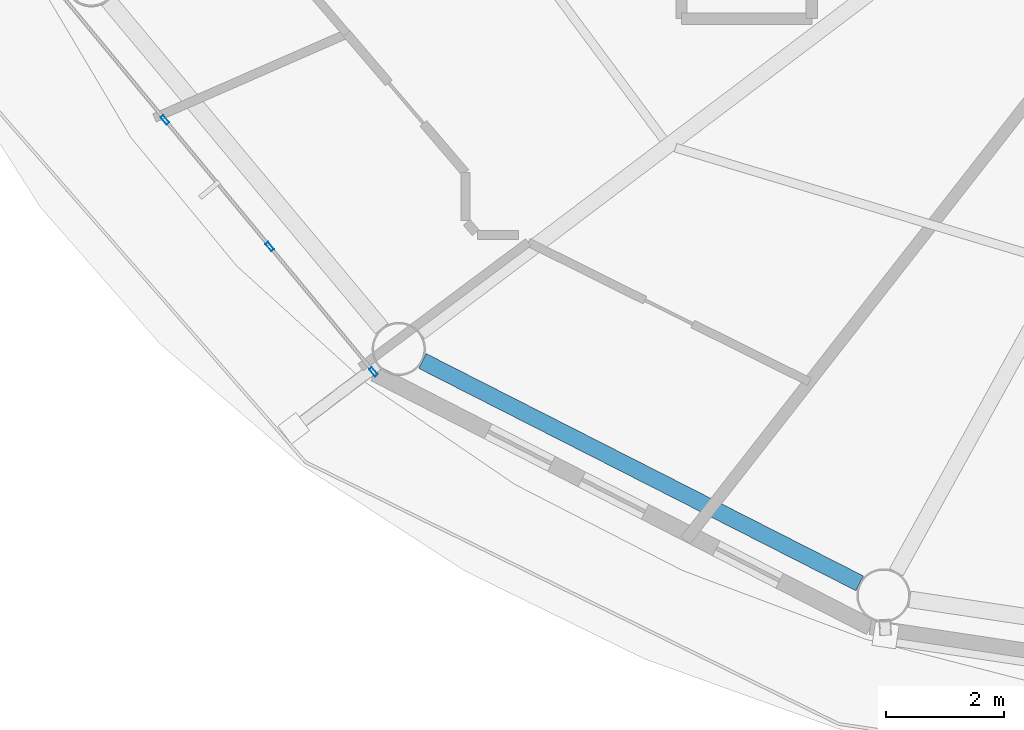
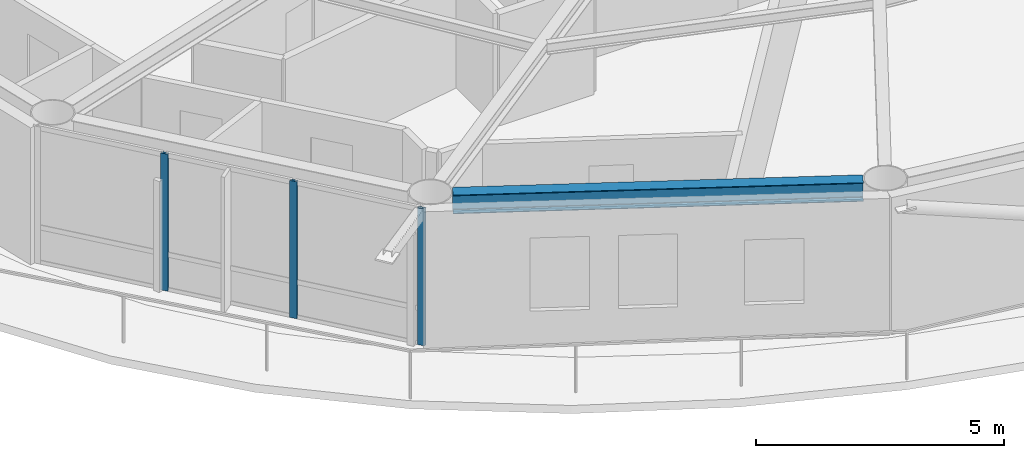
# One storey, part 2 of 22: 3 members, 1 beam, 1 element without a shape of its own.
"""IFC4 building model written with IfcOpenShell, lengths in metres."""

from ifc_helpers import new_model, si_unit, direction, frame, origin, origin_2d, place, context, subcontext, project, spatial, hollow_rectangle, i_section, extrude, material, layer, layer_set, material_profile, profile_set, type_object, element, aggregate, save


model = new_model("IFC4")

# Units and contexts
model_context = context("Model", 3, precision=1e-05, world=origin(), true_north=direction((0.0, 1.0)))
body_context = subcontext(model_context, "Body", "Model", "MODEL_VIEW")
ifc_project = project(units=[si_unit("LENGTHUNIT", "METRE"), si_unit("AREAUNIT", "SQUARE_METRE"), si_unit("VOLUMEUNIT", "CUBIC_METRE"), si_unit("PLANEANGLEUNIT", "RADIAN"), si_unit("MASSUNIT", "GRAM", prefix="KILO")], contexts=[model_context])

# Site, building, storey
site_placement = place(None, origin())
site = spatial("IfcSite", under=ifc_project, at=site_placement, CompositionType="ELEMENT")
building_placement = place(site_placement, origin())
building = spatial("IfcBuilding", under=site, at=building_placement, Name="Sarneth Arch Tower", CompositionType="ELEMENT")
storey_placement = place(building_placement, frame((0.0, 0.0, 291.0)))
storey = spatial("IfcBuildingStorey", under=building, at=storey_placement, Name="L75", CompositionType="ELEMENT", Elevation=291.0)

# Beam
ifc_material_1 = material(Name="Steel S355", Category="steel")
ifc_material_profile_1 = material_profile(ifc_material_1, i_section(OverallWidth=0.280029296875, OverallDepth=0.462890625, WebThickness=0.0107421875, FlangeThickness=0.017333984375, FilletRadius=0.01806640625, at=origin_2d()), Name="W460x113")
ifc_profile_set_1 = profile_set([ifc_material_profile_1], Name="Steel S355")
beam_type = type_object("IfcBeamType", Name="BM-RAD-460A", PredefinedType="BEAM", material=ifc_profile_set_1)
beam_placement = place(storey_placement, frame((30.42578125, 28.219482421875, 3.138427734375), z_axis=(0.891376248079, -0.453264144138, 0.0), x_axis=(0.453264144138, 0.891376248079, 0.0)))
element("IfcBeam", 1, at=beam_placement, inside=storey, type_object=beam_type, Name="L75 Perimeter spandrel beam 11", PredefinedType="BEAM", context=body_context, shape_type="SweptSolid", body=[
    extrude(i_section(OverallWidth=0.280029296875, OverallDepth=0.462890625, WebThickness=0.0107421875, FlangeThickness=0.017333984375, FilletRadius=0.01806640625, at=origin_2d()), origin(), (0.0, 0.0, 1.0), 8.281982421875),
])

# Curtain wall, members
ifc_material_2 = material(Name="Anodised aluminium Type AA25 and solar-control low-e laminated IGU", Category="aluminium")
ifc_layer = layer(ifc_material_2, 0.179931640625)
ifc_layer_set = layer_set([ifc_layer], Name="Anodised aluminium Type AA25 and solar-control low-e laminated IGU")
curtain_wall_type = type_object("IfcCurtainWallType", Name="CW-RES-HIGH", PredefinedType="NOTDEFINED", material=ifc_layer_set)
curtain_wall_placement = place(storey_placement, origin())
curtain_wall = element("IfcCurtainWall", 2, at=curtain_wall_placement, inside=storey, type_object=curtain_wall_type, Name="L75 Unitised curtain wall facet 10", PredefinedType="NOTDEFINED")
ifc_material_3 = material(Name="Anodised Aluminium 6063-T6", Category="aluminium")
ifc_material_profile_2 = material_profile(ifc_material_3, hollow_rectangle(XDim=0.06005859375, YDim=0.159912109375, WallThickness=0.00390625, at=origin_2d()), Name="AL-MULL-160x60x4")
ifc_profile_set_2 = profile_set([ifc_material_profile_2], Name="Anodised Aluminium 6063-T6")
member_type = type_object("IfcMemberType", Name="CW-MULLION", PredefinedType="MULLION", material=ifc_profile_set_2)
member_1_placement = place(storey_placement, frame((26.07666015625, 32.29150390625, 0.0), z_axis=(0.0, 0.0, 1.0), x_axis=(0.770359245933, 0.637610094184, 0.0)))
member_1 = element("IfcMember", 3, at=member_1_placement, type_object=member_type, Name="CW-SYS-6 mullion 2", PredefinedType="MULLION", context=body_context, shape_type="SweptSolid", body=[
    extrude(hollow_rectangle(XDim=0.06005859375, YDim=0.159912109375, WallThickness=0.00390625, at=origin_2d()), origin(), (0.0, 0.0, 1.0), 3.3701171875),
])
member_2_placement = place(storey_placement, frame((27.84716796875, 30.15234375, 0.0), z_axis=(0.0, 0.0, 1.0), x_axis=(0.770359245933, 0.637610094184, 0.0)))
member_2 = element("IfcMember", 4, at=member_2_placement, type_object=member_type, Name="CW-SYS-6 mullion 3", PredefinedType="MULLION", context=body_context, shape_type="SweptSolid", body=[
    extrude(hollow_rectangle(XDim=0.06005859375, YDim=0.159912109375, WallThickness=0.00390625, at=origin_2d()), origin(), (0.0, 0.0, 1.0), 3.3701171875),
])
member_3_placement = place(storey_placement, frame((29.598388671875, 28.03662109375, 0.0), z_axis=(0.0, 0.0, 1.0), x_axis=(0.770359245933, 0.637610094184, 0.0)))
member_3 = element("IfcMember", 5, at=member_3_placement, type_object=member_type, Name="CW-SYS-6 mullion 4", PredefinedType="MULLION", context=body_context, shape_type="SweptSolid", body=[
    extrude(hollow_rectangle(XDim=0.06005859375, YDim=0.159912109375, WallThickness=0.00390625, at=origin_2d()), origin(), (0.0, 0.0, 1.0), 3.3701171875),
])
aggregate(curtain_wall, [member_1, member_2, member_3])

save(model, "model.ifc")
